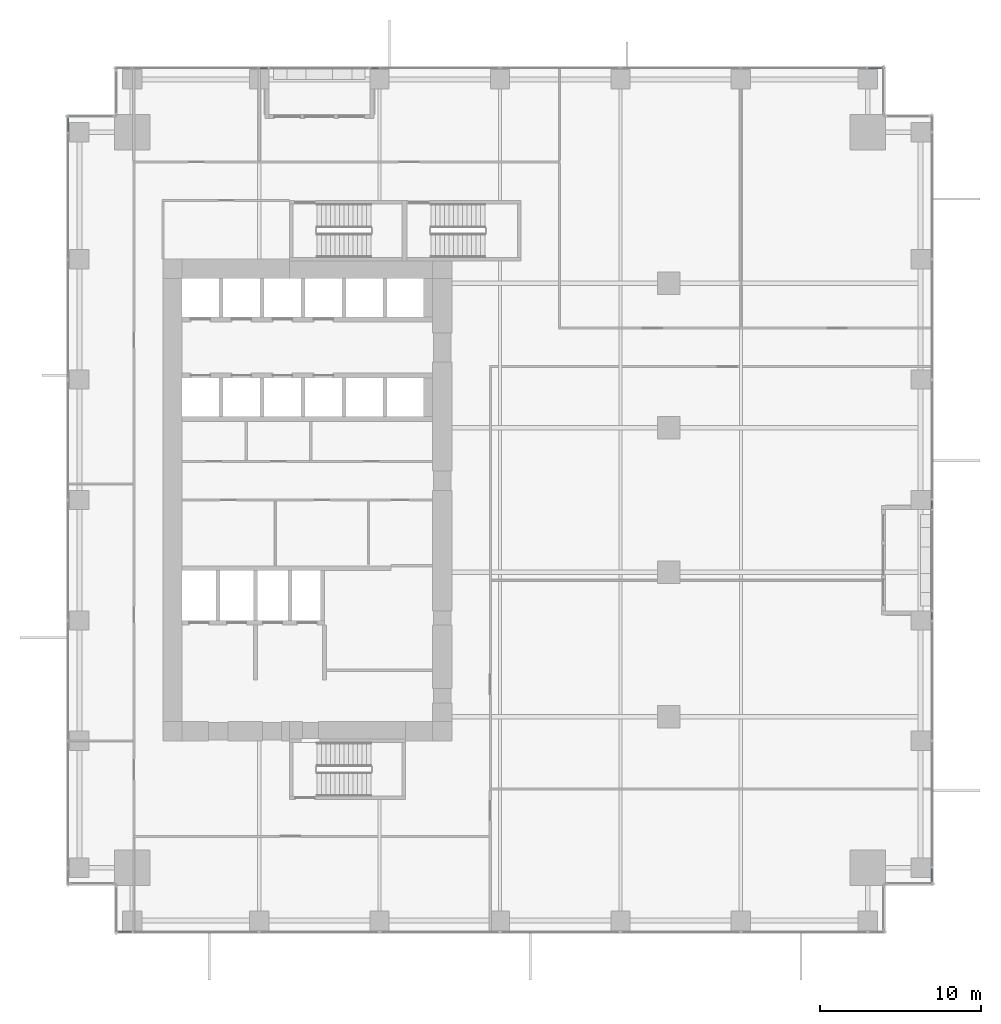
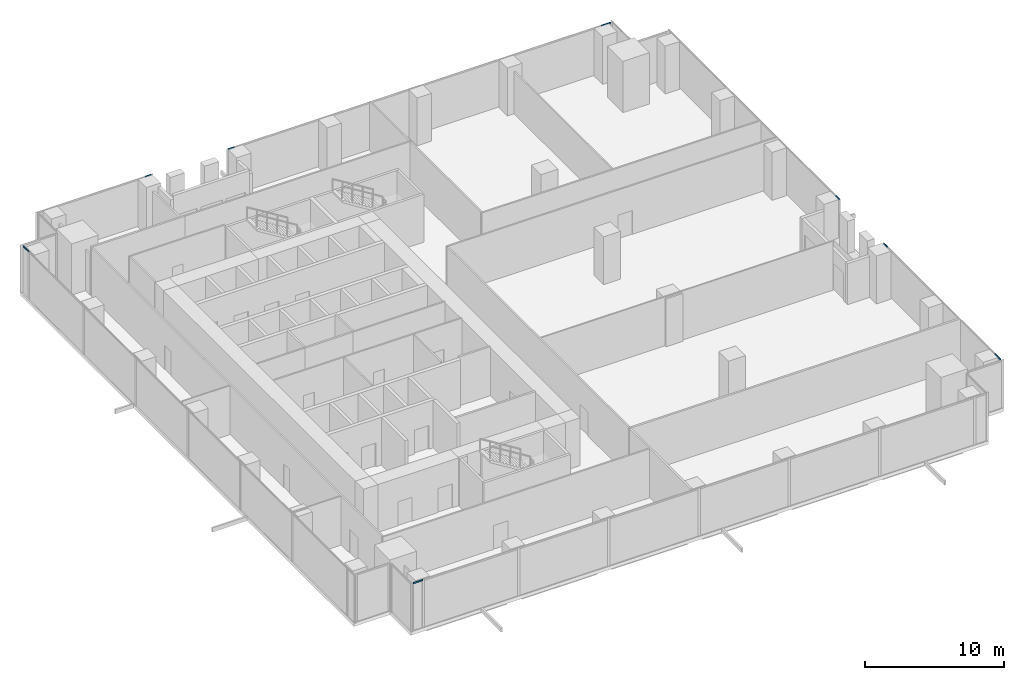
# One storey, part 21 of 33: 8 members, 6 elements without a shape of their own.
"""IFC4 building model written with IfcOpenShell, lengths in metres."""

import ifcopenshell
import ifcopenshell.guid

model = None  # the IFC model being written
_history = None  # IfcOwnerHistory: only IFC2X3 demands one
_inside = {}  # id of a spatial element -> (the spatial element, [elements in it])
_under = {}  # id of a project, library or spatial element -> (it, [spatial elements below it])
_declared = {}  # id of a project -> (the project, [libraries it declares])
_typed = {}  # id of a type object -> (the type object, [elements of that type])
_made_of = {}  # id of a material, layer set ... -> (it, [elements and type objects made of it])


def new_model(schema):
    """Start an empty IFC model of exactly this schema.

    Asked for "IFC4X3", IfcOpenShell would pick the latest addendum, in which some entities
    have other attributes; the version numbers below select the first issue.
    IFC2X3 requires an IfcOwnerHistory on every rooted entity: one is made here for all.
    """
    global model, _history
    if schema == "IFC4X3":
        model = ifcopenshell.file(schema_version=(4, 3, 0, 0))
    else:
        model = ifcopenshell.file(schema=schema)
    _inside.clear()
    _under.clear()
    _declared.clear()
    _typed.clear()
    _made_of.clear()
    _history = None
    if model.schema == "IFC2X3":
        org = make("IfcOrganization", Name="unknown")
        user = make(
            "IfcPersonAndOrganization",
            ThePerson=make("IfcPerson", FamilyName="unknown"),
            TheOrganization=org,
        )
        app = make(
            "IfcApplication",
            ApplicationDeveloper=org,
            Version="unknown",
            ApplicationFullName="unknown",
            ApplicationIdentifier="unknown",
        )
        _history = make(
            "IfcOwnerHistory",
            OwningUser=user,
            OwningApplication=app,
            ChangeAction="ADDED",
            CreationDate=0,
        )
    return model


def make(cls, **values):
    """One entity of the class cls with the attributes given. An attribute that is None is left unset."""
    return model.create_entity(
        cls, **{name: value for name, value in values.items() if value is not None}
    )


def rooted(cls, **values):
    """An entity with a GlobalId (a new one), such as an element, a storey or a relation."""
    return make(cls, GlobalId=ifcopenshell.guid.new(), OwnerHistory=_history, **values)


def si_unit(unit_type, name, prefix=None):
    """IfcSIUnit, for example si_unit("LENGTHUNIT", "METRE", prefix="MILLI")."""
    return make("IfcSIUnit", UnitType=unit_type, Prefix=prefix, Name=name)


def assignment(units):
    """IfcUnitAssignment: the units of a project."""
    return None if units is None else make("IfcUnitAssignment", Units=units)


def point(xyz):
    """IfcCartesianPoint."""
    return None if xyz is None else make("IfcCartesianPoint", Coordinates=xyz)


def direction(xyz):
    """IfcDirection."""
    return None if xyz is None else make("IfcDirection", DirectionRatios=xyz)


def frame(location, z_axis=None, x_axis=None):
    """IfcAxis2Placement3D, a coordinate frame: its origin and axes. An axis left out is left unset."""
    return make(
        "IfcAxis2Placement3D",
        Location=point(location),
        Axis=direction(z_axis),
        RefDirection=direction(x_axis),
    )


def frame_2d(location, x_axis=None):
    """IfcAxis2Placement2D, a coordinate frame in the plane: its origin and x axis."""
    return make(
        "IfcAxis2Placement2D", Location=point(location), RefDirection=direction(x_axis)
    )


def origin():
    """The frame at (0, 0, 0) with its axes left unset."""
    return frame((0.0, 0.0, 0.0))


def origin_2d():
    """The frame at (0, 0) in the plane with its x axis left unset."""
    return frame_2d((0.0, 0.0))


def place(relative_to, where):
    """IfcLocalPlacement: puts the frame where relative to a parent placement (None: the world)."""
    return make(
        "IfcLocalPlacement", PlacementRelTo=relative_to, RelativePlacement=where
    )


def context(
    kind, dimensions, precision=None, world=None, true_north=None, identifier=None
):
    """IfcGeometricRepresentationContext, for example the 3D "Model" context."""
    return make(
        "IfcGeometricRepresentationContext",
        ContextIdentifier=identifier,
        ContextType=kind,
        CoordinateSpaceDimension=dimensions,
        Precision=precision,
        WorldCoordinateSystem=world,
        TrueNorth=true_north,
    )


def subcontext(parent, identifier, kind, view, scale=None):
    """IfcGeometricRepresentationSubContext, for example "Body" below "Model"."""
    return make(
        "IfcGeometricRepresentationSubContext",
        ContextIdentifier=identifier,
        ContextType=kind,
        ParentContext=parent,
        TargetScale=scale,
        TargetView=view,
    )


def project(units=None, contexts=None):
    """IfcProject with its units and contexts."""
    return rooted(
        "IfcProject",
        Name="project",
        RepresentationContexts=contexts,
        UnitsInContext=assignment(units),
    )


def spatial(cls, under=None, at=None, **own):
    """A site, building, storey or space (cls), placed at a placement, below another one or the project."""
    s = rooted(cls, ObjectPlacement=at, **own)
    if under is not None:
        _under.setdefault(under.id(), (under, []))[1].append(s)
    return s


def profile(cls, at=None, kind="AREA", **sizes):
    """A parametric profile (cls). Its sizes go by their IFC names, for example OverallWidth=200.0."""
    return make(cls, ProfileType=kind, Position=at, **sizes)


def hollow_rectangle(**sizes):
    """IfcRectangleHollowProfileDef."""
    return profile("IfcRectangleHollowProfileDef", **sizes)


def extrude(swept, where, along, depth):
    """IfcExtrudedAreaSolid: the profile swept, set in the frame where, extruded along a direction by depth."""
    return make(
        "IfcExtrudedAreaSolid",
        SweptArea=swept,
        Position=where,
        ExtrudedDirection=direction(along),
        Depth=depth,
    )


def shape(context_of_items, identifier, shape_type, items):
    """IfcShapeRepresentation: the items that make up one representation, for example the "Body"."""
    return make(
        "IfcShapeRepresentation",
        ContextOfItems=context_of_items,
        RepresentationIdentifier=identifier,
        RepresentationType=shape_type,
        Items=items,
    )


def source(mapping_origin, context_of_items, identifier, shape_type, items):
    """IfcRepresentationMap: a shape defined once, which mapped items show again and again."""
    return make(
        "IfcRepresentationMap",
        MappingOrigin=mapping_origin,
        MappedRepresentation=shape(context_of_items, identifier, shape_type, items),
    )


def transform(
    local_origin,
    x_axis=None,
    y_axis=None,
    z_axis=None,
    scale=None,
    scale2=None,
    scale3=None,
    uniform=True,
):
    """IfcCartesianTransformationOperator3D, or its non-uniform kind. x_axis, y_axis, z_axis: its Axis1, 2, 3."""
    if uniform:
        return make(
            "IfcCartesianTransformationOperator3D",
            Axis1=direction(x_axis),
            Axis2=direction(y_axis),
            LocalOrigin=point(local_origin),
            Scale=scale,
            Axis3=direction(z_axis),
        )
    return make(
        "IfcCartesianTransformationOperator3DnonUniform",
        Axis1=direction(x_axis),
        Axis2=direction(y_axis),
        LocalOrigin=point(local_origin),
        Scale=scale,
        Axis3=direction(z_axis),
        Scale2=scale2,
        Scale3=scale3,
    )


def mapped(mapping_source, mapping_target):
    """IfcMappedItem: shows the shape of a source again, moved by a transform."""
    return make(
        "IfcMappedItem", MappingSource=mapping_source, MappingTarget=mapping_target
    )


def material(Name=None, Category=None):
    """IfcMaterial."""
    return make("IfcMaterial", Name=Name, Category=Category)


def material_profile(
    of_material, cross_section, Name=None, Category=None, Priority=None
):
    """IfcMaterialProfile: a cross section and its material."""
    return make(
        "IfcMaterialProfile",
        Name=Name,
        Material=of_material,
        Profile=cross_section,
        Priority=Priority,
        Category=Category,
    )


def profile_set(profiles, Name=None, composite=None):
    """IfcMaterialProfileSet."""
    return make(
        "IfcMaterialProfileSet",
        Name=Name,
        MaterialProfiles=profiles,
        CompositeProfile=composite,
    )


def made_of(thing, what):
    """Note that an element or type object is made of a material, layer set ...; save() writes the relation."""
    if what is not None:
        _made_of.setdefault(what.id(), (what, []))[1].append(thing)
    return thing


def type_object(cls, material=None, **own):
    """A type object (cls), such as IfcWallType, which elements share."""
    return made_of(rooted(cls, **own), material)


def element(
    cls,
    number,
    at=None,
    inside=None,
    cuts=None,
    type_object=None,
    material=None,
    context=None,
    identifier="Body",
    shape_type=None,
    held_by="IfcProductDefinitionShape",
    body=None,
    shapes=None,
    **own,
):
    """One element of the class cls, such as IfcWall. Its Tag is "e" and its number.

    at: its placement. inside: the storey or other place that contains it. cuts: it is an
    opening in that element (IfcRelVoidsElement). A single representation is given by context,
    identifier, shape_type and body (its items); several are given by shapes. held_by: the class
    of the entity that holds the representations. save() writes the other relations.
    """
    e = rooted(cls, Tag="e%d" % number, ObjectPlacement=at, **own)
    if body is not None:
        shapes = [shape(context, identifier, shape_type, body)]
    if shapes is not None:
        e.Representation = make(held_by, Representations=shapes)
    if inside is not None:
        _inside.setdefault(inside.id(), (inside, []))[1].append(e)
    if cuts is not None:
        rooted(
            "IfcRelVoidsElement", RelatingBuildingElement=cuts, RelatedOpeningElement=e
        )
    if type_object is not None:
        _typed.setdefault(type_object.id(), (type_object, []))[1].append(e)
    return made_of(e, material)


def aggregate(whole, parts):
    """IfcRelAggregates: a whole, such as a stair, and the parts it consists of."""
    return rooted("IfcRelAggregates", RelatingObject=whole, RelatedObjects=parts)


def save(model, path):
    """Write the relations noted so far, then the file.

    IfcRelAggregates (storeys below a building ...), IfcRelContainedInSpatialStructure (elements
    in a storey), IfcRelDefinesByType, IfcRelAssociatesMaterial and IfcRelDeclares: one each for
    every whole, place, type object, material and project.
    """
    for whole, parts in _under.values():
        aggregate(whole, parts)
    for where, things in _inside.values():
        rooted(
            "IfcRelContainedInSpatialStructure",
            RelatedElements=things,
            RelatingStructure=where,
        )
    for kind, things in _typed.values():
        rooted("IfcRelDefinesByType", RelatedObjects=things, RelatingType=kind)
    for what, things in _made_of.values():
        rooted("IfcRelAssociatesMaterial", RelatedObjects=things, RelatingMaterial=what)
    for by, libraries in _declared.values():
        rooted("IfcRelDeclares", RelatingContext=by, RelatedDefinitions=libraries)
    model.write(path)


model = new_model("IFC4")

# Units and contexts
model_context = context("Model", 3, precision=1e-05, world=origin(), true_north=direction((0.0, 1.0)))
body_context = subcontext(model_context, "Body", "Model", "MODEL_VIEW")
ifc_project = project(units=[si_unit("LENGTHUNIT", "METRE"), si_unit("AREAUNIT", "SQUARE_METRE"), si_unit("VOLUMEUNIT", "CUBIC_METRE"), si_unit("PLANEANGLEUNIT", "RADIAN"), si_unit("MASSUNIT", "GRAM", prefix="KILO")], contexts=[model_context])

# Site, building, storey
site_placement = place(None, origin())
site = spatial("IfcSite", under=ifc_project, at=site_placement, CompositionType="ELEMENT")
building_placement = place(site_placement, origin())
building = spatial("IfcBuilding", under=site, at=building_placement, Name="Khomas Fold Tower", CompositionType="ELEMENT")
storey_placement = place(building_placement, frame((0.0, 0.0, 78.0)))
storey = spatial("IfcBuildingStorey", under=building, at=storey_placement, Name="L16", CompositionType="ELEMENT", Elevation=78.0)

# Curtain wall, member
ifc_material_1 = material(Name="Aluminium framed double glazing", Category="aluminium")
curtain_wall_type = type_object("IfcCurtainWallType", Name="SK-Unitised clear-glass wall, growing floors CW1", PredefinedType="NOTDEFINED", material=ifc_material_1)
curtain_wall_1_placement = place(storey_placement, origin())
curtain_wall_1 = element("IfcCurtainWall", 1, at=curtain_wall_1_placement, inside=storey, type_object=curtain_wall_type, Name="CW1 run L16 00-0", PredefinedType="NOTDEFINED")
ifc_material_2 = material(Name="Aluminium", Category="aluminium")
ifc_material_profile = material_profile(ifc_material_2, hollow_rectangle(XDim=0.06005859375, YDim=0.1201171875, WallThickness=0.00390625, at=origin_2d()), Name="SK-Unitised clear-glass wall, growing floors transom CW1-T")
ifc_profile_set = profile_set([ifc_material_profile], Name="Aluminium")
member_type = type_object("IfcMemberType", Name="SK-Unitised clear-glass wall, growing floors transom CW1-T", PredefinedType="USERDEFINED", material=ifc_profile_set)
shared_shape_1 = source(origin(), body_context, "Body", "SweptSolid", [
    extrude(hollow_rectangle(XDim=0.06005859375, YDim=0.1201171875, WallThickness=0.00390625, at=origin_2d()), origin(), (0.0, 0.0, 1.0), 0.81005859375),
])
member_1_placement = place(storey_placement, frame((3.260009765625, 0.10009765625, 4.139892578125), z_axis=(1.0, 0.0, 0.0), x_axis=(0.0, 1.0, 0.0)))
member_1 = element("IfcMember", 2, at=member_1_placement, type_object=member_type, Name="CW1 transom 1", ObjectType="TRANSOM", PredefinedType="USERDEFINED", context=body_context, shape_type="MappedRepresentation", body=[
    mapped(shared_shape_1, transform((0.0, 0.0, 0.0))),
])
aggregate(curtain_wall_1, [member_1])

curtain_wall_2_placement = place(storey_placement, origin())
curtain_wall_2 = element("IfcCurtainWall", 3, at=curtain_wall_2_placement, inside=storey, type_object=curtain_wall_type, Name="CW1 run L16 03-0", PredefinedType="NOTDEFINED")
member_2_placement = place(storey_placement, frame((53.89990234375, 3.260009765625, 4.139892578125), z_axis=(0.0, 1.0, 0.0), x_axis=(-1.0, 0.0, 0.0)))
member_2 = element("IfcMember", 4, at=member_2_placement, type_object=member_type, Name="CW1 transom 1", ObjectType="TRANSOM", PredefinedType="USERDEFINED", context=body_context, shape_type="MappedRepresentation", body=[
    mapped(shared_shape_1, transform((0.0, 0.0, 0.0))),
])

curtain_wall_3_placement = place(storey_placement, origin())
curtain_wall_3 = element("IfcCurtainWall", 5, at=curtain_wall_3_placement, inside=storey, type_object=curtain_wall_type, Name="CW1 run L16 06-0", PredefinedType="NOTDEFINED")
member_3_placement = place(storey_placement, frame((50.739990234375, 53.89990234375, 4.139892578125), z_axis=(-1.0, 0.0, 0.0), x_axis=(0.0, -1.0, 0.0)))
member_3 = element("IfcMember", 6, at=member_3_placement, type_object=member_type, Name="CW1 transom 1", ObjectType="TRANSOM", PredefinedType="USERDEFINED", context=body_context, shape_type="MappedRepresentation", body=[
    mapped(shared_shape_1, transform((0.0, 0.0, 0.0))),
])

curtain_wall_4_placement = place(storey_placement, origin())
curtain_wall_4 = element("IfcCurtainWall", 7, at=curtain_wall_4_placement, inside=storey, type_object=curtain_wall_type, Name="CW1 run L16 09-0", PredefinedType="NOTDEFINED")
member_4_placement = place(storey_placement, frame((0.10009765625, 50.739990234375, 4.139892578125), z_axis=(0.0, -1.0, 0.0), x_axis=(1.0, 0.0, 0.0)))
member_4 = element("IfcMember", 8, at=member_4_placement, type_object=member_type, Name="CW1 transom 1", ObjectType="TRANSOM", PredefinedType="USERDEFINED", context=body_context, shape_type="MappedRepresentation", body=[
    mapped(shared_shape_1, transform((0.0, 0.0, 0.0))),
])
aggregate(curtain_wall_4, [member_4])

# Member
shared_shape_2 = source(origin(), body_context, "Body", "SweptSolid", [
    extrude(hollow_rectangle(XDim=0.06005859375, YDim=0.1201171875, WallThickness=0.00390625, at=origin_2d()), origin(), (0.0, 0.0, 1.0), 0.510009765625),
])
member_5_placement = place(storey_placement, frame((53.89990234375, 19.530029296875, 4.139892578125), z_axis=(0.0, 1.0, 0.0), x_axis=(-1.0, 0.0, 0.0)))
member_5 = element("IfcMember", 9, at=member_5_placement, type_object=member_type, Name="CW1 transom 4", ObjectType="TRANSOM", PredefinedType="USERDEFINED", context=body_context, shape_type="MappedRepresentation", body=[
    mapped(shared_shape_2, transform((0.0, 0.0, 0.0))),
])

aggregate(curtain_wall_2, [member_2, member_5])

# Curtain wall, member
curtain_wall_5_placement = place(storey_placement, origin())
curtain_wall_5 = element("IfcCurtainWall", 10, at=curtain_wall_5_placement, inside=storey, type_object=curtain_wall_type, Name="CW1 run L16 03-1", PredefinedType="NOTDEFINED")
member_6_placement = place(storey_placement, frame((53.89990234375, 26.4599609375, 4.139892578125), z_axis=(0.0, 1.0, 0.0), x_axis=(-1.0, 0.0, 0.0)))
member_6 = element("IfcMember", 11, at=member_6_placement, type_object=member_type, Name="CW1 transom 1", ObjectType="TRANSOM", PredefinedType="USERDEFINED", context=body_context, shape_type="MappedRepresentation", body=[
    mapped(shared_shape_2, transform((0.0, 0.0, 0.0))),
])
aggregate(curtain_wall_5, [member_6])

# Member
member_7_placement = place(storey_placement, frame((19.469970703125, 53.89990234375, 4.139892578125), z_axis=(-1.0, 0.0, 0.0), x_axis=(0.0, -1.0, 0.0)))
member_7 = element("IfcMember", 12, at=member_7_placement, type_object=member_type, Name="CW1 transom 6", ObjectType="TRANSOM", PredefinedType="USERDEFINED", context=body_context, shape_type="MappedRepresentation", body=[
    mapped(shared_shape_2, transform((0.0, 0.0, 0.0))),
])

aggregate(curtain_wall_3, [member_3, member_7])

# Curtain wall, member
curtain_wall_6_placement = place(storey_placement, origin())
curtain_wall_6 = element("IfcCurtainWall", 13, at=curtain_wall_6_placement, inside=storey, type_object=curtain_wall_type, Name="CW1 run L16 06-1", PredefinedType="NOTDEFINED")
member_8_placement = place(storey_placement, frame((12.5400390625, 53.89990234375, 4.139892578125), z_axis=(-1.0, 0.0, 0.0), x_axis=(0.0, -1.0, 0.0)))
member_8 = element("IfcMember", 14, at=member_8_placement, type_object=member_type, Name="CW1 transom 1", ObjectType="TRANSOM", PredefinedType="USERDEFINED", context=body_context, shape_type="MappedRepresentation", body=[
    mapped(shared_shape_2, transform((0.0, 0.0, 0.0))),
])
aggregate(curtain_wall_6, [member_8])

save(model, "model.ifc")
